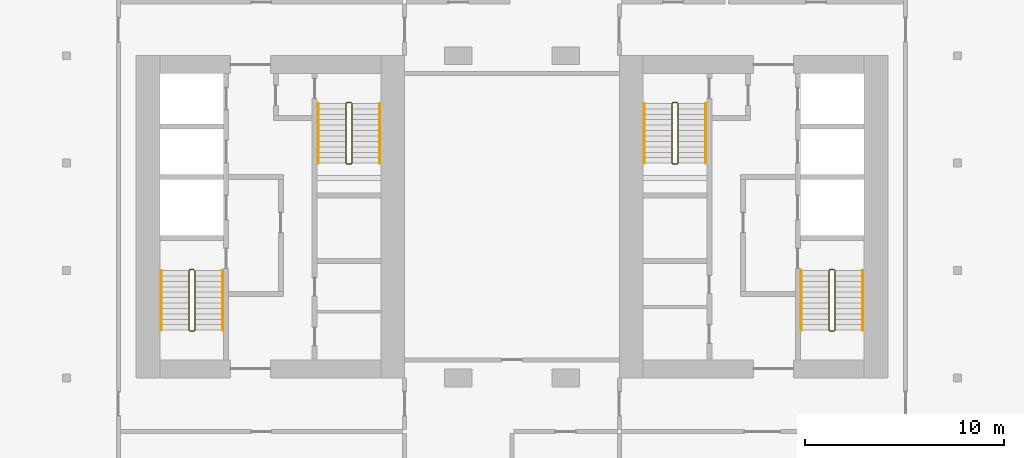
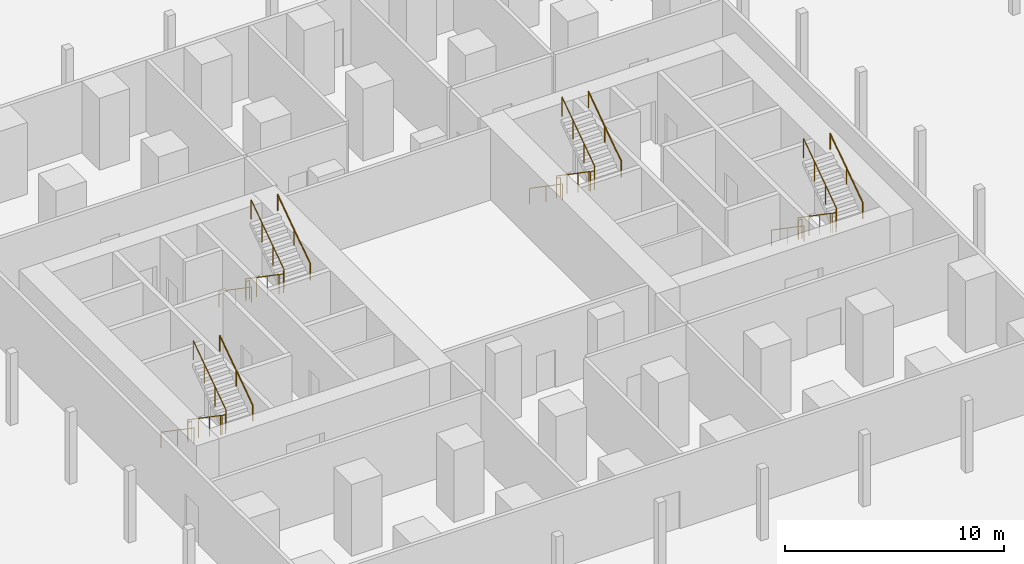
# One storey, part 6 of 6: 12 railings.
"""IFC4 building model written with IfcOpenShell, lengths in metres."""

from ifc_helpers import new_model, si_unit, direction, frame, origin, origin_2d, place, context, subcontext, project, spatial, circle, extrude, material, type_object, element, save


model = new_model("IFC4")

# Units and contexts
model_context = context("Model", 3, precision=1e-05, world=origin(), true_north=direction((0.0, 1.0)))
body_context = subcontext(model_context, "Body", "Model", "MODEL_VIEW")
ifc_project = project(units=[si_unit("LENGTHUNIT", "METRE"), si_unit("AREAUNIT", "SQUARE_METRE"), si_unit("VOLUMEUNIT", "CUBIC_METRE"), si_unit("PLANEANGLEUNIT", "RADIAN"), si_unit("MASSUNIT", "GRAM", prefix="KILO")], contexts=[model_context])

# Site, building, storey
site_placement = place(None, origin())
site = spatial("IfcSite", under=ifc_project, at=site_placement, CompositionType="ELEMENT")
building_placement = place(site_placement, origin())
building = spatial("IfcBuilding", under=site, at=building_placement, Name="Tabaq Tower and Sports Hall", CompositionType="ELEMENT")
storey_placement = place(building_placement, frame((0.0, 0.0, -4.5)))
storey = spatial("IfcBuildingStorey", under=building, at=storey_placement, Name="B01", CompositionType="ELEMENT", Elevation=-4.5)

# Railings
ifc_material_1 = material(Name="Stainless steel", Category="steel")
railing_type_1 = type_object("IfcRailingType", Name="Stair guard", PredefinedType="GUARDRAIL", material=ifc_material_1)
railing_1_placement = place(storey_placement, frame((8.300048828125, 21.64990234375, 0.0)))
element("IfcRailing", 1, at=railing_1_placement, inside=storey, type_object=railing_type_1, Name="B01 ST1 stair guard 1", PredefinedType="GUARDRAIL", context=body_context, shape_type="SweptSolid", body=[
    extrude(circle(Radius=0.02392578125, at=origin_2d()), frame((0.0, 0.0, 1.076171875), z_axis=(-1.0, 0.0, 0.0), x_axis=(0.0, -1.0, 0.0)), (0.0, 0.0, 1.0), 0.199951171875),
    extrude(circle(Radius=0.02392578125, at=origin_2d()), frame((-0.199951171875, 0.0, 1.076171875), z_axis=(-0.249802250048, -0.248583702486, 0.935844527007), x_axis=(0.705375805398, -0.708833529934, 0.0)), (0.0, 0.0, 1.0), 0.200439453125),
    extrude(circle(Radius=0.02392578125, at=origin_2d()), frame((-0.25, -0.0498046875, 1.263671875), z_axis=(0.0, -0.824041924199, 0.566528822887), x_axis=(1.0, 0.0, 0.0)), (0.0, 0.0, 1.0), 3.640625),
    extrude(circle(Radius=0.02392578125, at=origin_2d()), frame((-0.25, -3.0498046875, 3.326171875), z_axis=(0.707106781187, -0.707106781187, 0.0), x_axis=(0.707106781187, 0.707106781187, 0.0)), (0.0, 0.0, 1.0), 0.07080078125),
    extrude(circle(Radius=0.02392578125, at=origin_2d()), frame((-0.199951171875, -3.099853515625, 3.326171875), z_axis=(1.0, 0.0, 0.0), x_axis=(0.0, 1.0, 0.0)), (0.0, 0.0, 1.0), 0.199951171875),
    extrude(circle(Radius=0.02392578125, at=origin_2d()), frame((0.0, -3.099853515625, 3.326171875), z_axis=(0.249726431254, 0.249726431254, 0.935560483917), x_axis=(-0.707106781187, 0.707106781187, 0.0)), (0.0, 0.0, 1.0), 0.200439453125),
    extrude(circle(Radius=0.02392578125, at=origin_2d()), frame((0.050048828125, -3.0498046875, 3.513671875), z_axis=(0.0, 0.824041924199, 0.566528822887), x_axis=(-1.0, 0.0, 0.0)), (0.0, 0.0, 1.0), 3.640625),
    extrude(circle(Radius=0.02099609375, at=origin_2d()), origin(), (0.0, 0.0, 1.0), 1.052001953125),
    extrude(circle(Radius=0.02099609375, at=origin_2d()), frame((-0.199951171875, 0.0, 0.0)), (0.0, 0.0, 1.0), 1.052001953125),
    extrude(circle(Radius=0.02099609375, at=origin_2d()), frame((-0.25, -0.0498046875, 0.1875)), (0.0, 0.0, 1.0), 1.052001953125),
    extrude(circle(Radius=0.02099609375, at=origin_2d()), frame((-0.25, -1.0498046875, 0.875)), (0.0, 0.0, 1.0), 1.052001953125),
    extrude(circle(Radius=0.02099609375, at=origin_2d()), frame((-0.25, -2.0498046875, 1.5625)), (0.0, 0.0, 1.0), 1.052001953125),
    extrude(circle(Radius=0.02099609375, at=origin_2d()), frame((-0.25, -3.0498046875, 2.25)), (0.0, 0.0, 1.0), 1.052001953125),
    extrude(circle(Radius=0.02099609375, at=origin_2d()), frame((-0.199951171875, -3.099853515625, 2.25)), (0.0, 0.0, 1.0), 1.052001953125),
    extrude(circle(Radius=0.02099609375, at=origin_2d()), frame((0.0, -3.099853515625, 2.25)), (0.0, 0.0, 1.0), 1.052001953125),
    extrude(circle(Radius=0.02099609375, at=origin_2d()), frame((0.050048828125, -3.0498046875, 2.4375)), (0.0, 0.0, 1.0), 1.052001953125),
    extrude(circle(Radius=0.02099609375, at=origin_2d()), frame((0.050048828125, -2.0498046875, 3.125)), (0.0, 0.0, 1.0), 1.052001953125),
    extrude(circle(Radius=0.02099609375, at=origin_2d()), frame((0.050048828125, -1.0498046875, 3.8125)), (0.0, 0.0, 1.0), 1.052001953125),
    extrude(circle(Radius=0.02099609375, at=origin_2d()), frame((0.050048828125, -0.0498046875, 4.5)), (0.0, 0.0, 1.0), 1.052001953125),
])
railing_2_placement = place(storey_placement, frame((16.199951171875, 30.050048828125, 0.0)))
element("IfcRailing", 2, at=railing_2_placement, inside=storey, type_object=railing_type_1, Name="B01 ST2 stair guard 1", PredefinedType="GUARDRAIL", context=body_context, shape_type="SweptSolid", body=[
    extrude(circle(Radius=0.02392578125, at=origin_2d()), frame((0.0, 0.0, 1.076171875), z_axis=(-1.0, 0.0, 0.0), x_axis=(0.0, -1.0, 0.0)), (0.0, 0.0, 1.0), 0.199951171875),
    extrude(circle(Radius=0.02392578125, at=origin_2d()), frame((-0.199951171875, 0.0, 1.076171875), z_axis=(-0.249726431254, -0.249726431254, 0.935560483917), x_axis=(0.707106781187, -0.707106781187, 0.0)), (0.0, 0.0, 1.0), 0.200439453125),
    extrude(circle(Radius=0.02392578125, at=origin_2d()), frame((-0.25, -0.050048828125, 1.263671875), z_axis=(0.0, -0.824041924199, 0.566528822887), x_axis=(1.0, 0.0, 0.0)), (0.0, 0.0, 1.0), 3.640625),
    extrude(circle(Radius=0.02392578125, at=origin_2d()), frame((-0.25, -3.050048828125, 3.326171875), z_axis=(0.707106781187, -0.707106781187, 0.0), x_axis=(0.707106781187, 0.707106781187, 0.0)), (0.0, 0.0, 1.0), 0.07080078125),
    extrude(circle(Radius=0.02392578125, at=origin_2d()), frame((-0.199951171875, -3.10009765625, 3.326171875), z_axis=(1.0, 0.0, 0.0), x_axis=(0.0, 1.0, 0.0)), (0.0, 0.0, 1.0), 0.199951171875),
    extrude(circle(Radius=0.02392578125, at=origin_2d()), frame((0.0, -3.10009765625, 3.326171875), z_axis=(0.249726431254, 0.249726431254, 0.935560483917), x_axis=(-0.707106781187, 0.707106781187, 0.0)), (0.0, 0.0, 1.0), 0.200439453125),
    extrude(circle(Radius=0.02392578125, at=origin_2d()), frame((0.050048828125, -3.050048828125, 3.513671875), z_axis=(0.0, 0.824041924199, 0.566528822887), x_axis=(-1.0, 0.0, 0.0)), (0.0, 0.0, 1.0), 3.640625),
    extrude(circle(Radius=0.02099609375, at=origin_2d()), origin(), (0.0, 0.0, 1.0), 1.052001953125),
    extrude(circle(Radius=0.02099609375, at=origin_2d()), frame((-0.199951171875, 0.0, 0.0)), (0.0, 0.0, 1.0), 1.052001953125),
    extrude(circle(Radius=0.02099609375, at=origin_2d()), frame((-0.25, -0.050048828125, 0.1875)), (0.0, 0.0, 1.0), 1.052001953125),
    extrude(circle(Radius=0.02099609375, at=origin_2d()), frame((-0.25, -1.050048828125, 0.875)), (0.0, 0.0, 1.0), 1.052001953125),
    extrude(circle(Radius=0.02099609375, at=origin_2d()), frame((-0.25, -2.050048828125, 1.5625)), (0.0, 0.0, 1.0), 1.052001953125),
    extrude(circle(Radius=0.02099609375, at=origin_2d()), frame((-0.25, -3.050048828125, 2.25)), (0.0, 0.0, 1.0), 1.052001953125),
    extrude(circle(Radius=0.02099609375, at=origin_2d()), frame((-0.199951171875, -3.10009765625, 2.25)), (0.0, 0.0, 1.0), 1.052001953125),
    extrude(circle(Radius=0.02099609375, at=origin_2d()), frame((0.0, -3.10009765625, 2.25)), (0.0, 0.0, 1.0), 1.052001953125),
    extrude(circle(Radius=0.02099609375, at=origin_2d()), frame((0.050048828125, -3.050048828125, 2.4375)), (0.0, 0.0, 1.0), 1.052001953125),
    extrude(circle(Radius=0.02099609375, at=origin_2d()), frame((0.050048828125, -2.050048828125, 3.125)), (0.0, 0.0, 1.0), 1.052001953125),
    extrude(circle(Radius=0.02099609375, at=origin_2d()), frame((0.050048828125, -1.050048828125, 3.8125)), (0.0, 0.0, 1.0), 1.052001953125),
    extrude(circle(Radius=0.02099609375, at=origin_2d()), frame((0.050048828125, -0.050048828125, 4.5)), (0.0, 0.0, 1.0), 1.052001953125),
])
railing_3_placement = place(storey_placement, frame((40.5, 21.64990234375, 0.0)))
element("IfcRailing", 3, at=railing_3_placement, inside=storey, type_object=railing_type_1, Name="B01 ST3 stair guard 1", PredefinedType="GUARDRAIL", context=body_context, shape_type="SweptSolid", body=[
    extrude(circle(Radius=0.02392578125, at=origin_2d()), frame((0.0, 0.0, 1.076171875), z_axis=(-1.0, 0.0, 0.0), x_axis=(0.0, -1.0, 0.0)), (0.0, 0.0, 1.0), 0.199951171875),
    extrude(circle(Radius=0.02392578125, at=origin_2d()), frame((-0.199951171875, 0.0, 1.076171875), z_axis=(-0.249802250048, -0.248583702486, 0.935844527007), x_axis=(0.705375805398, -0.708833529934, 0.0)), (0.0, 0.0, 1.0), 0.200439453125),
    extrude(circle(Radius=0.02392578125, at=origin_2d()), frame((-0.25, -0.0498046875, 1.263671875), z_axis=(0.0, -0.824041924199, 0.566528822887), x_axis=(1.0, 0.0, 0.0)), (0.0, 0.0, 1.0), 3.640625),
    extrude(circle(Radius=0.02392578125, at=origin_2d()), frame((-0.25, -3.0498046875, 3.326171875), z_axis=(0.707106781187, -0.707106781187, 0.0), x_axis=(0.707106781187, 0.707106781187, 0.0)), (0.0, 0.0, 1.0), 0.07080078125),
    extrude(circle(Radius=0.02392578125, at=origin_2d()), frame((-0.199951171875, -3.099853515625, 3.326171875), z_axis=(1.0, 0.0, 0.0), x_axis=(0.0, 1.0, 0.0)), (0.0, 0.0, 1.0), 0.199951171875),
    extrude(circle(Radius=0.02392578125, at=origin_2d()), frame((0.0, -3.099853515625, 3.326171875), z_axis=(0.249726431254, 0.249726431254, 0.935560483917), x_axis=(-0.707106781187, 0.707106781187, 0.0)), (0.0, 0.0, 1.0), 0.200439453125),
    extrude(circle(Radius=0.02392578125, at=origin_2d()), frame((0.050048828125, -3.0498046875, 3.513671875), z_axis=(0.0, 0.824041924199, 0.566528822887), x_axis=(-1.0, 0.0, 0.0)), (0.0, 0.0, 1.0), 3.640625),
    extrude(circle(Radius=0.02099609375, at=origin_2d()), origin(), (0.0, 0.0, 1.0), 1.052001953125),
    extrude(circle(Radius=0.02099609375, at=origin_2d()), frame((-0.199951171875, 0.0, 0.0)), (0.0, 0.0, 1.0), 1.052001953125),
    extrude(circle(Radius=0.02099609375, at=origin_2d()), frame((-0.25, -0.0498046875, 0.1875)), (0.0, 0.0, 1.0), 1.052001953125),
    extrude(circle(Radius=0.02099609375, at=origin_2d()), frame((-0.25, -1.0498046875, 0.875)), (0.0, 0.0, 1.0), 1.052001953125),
    extrude(circle(Radius=0.02099609375, at=origin_2d()), frame((-0.25, -2.0498046875, 1.5625)), (0.0, 0.0, 1.0), 1.052001953125),
    extrude(circle(Radius=0.02099609375, at=origin_2d()), frame((-0.25, -3.0498046875, 2.25)), (0.0, 0.0, 1.0), 1.052001953125),
    extrude(circle(Radius=0.02099609375, at=origin_2d()), frame((-0.199951171875, -3.099853515625, 2.25)), (0.0, 0.0, 1.0), 1.052001953125),
    extrude(circle(Radius=0.02099609375, at=origin_2d()), frame((0.0, -3.099853515625, 2.25)), (0.0, 0.0, 1.0), 1.052001953125),
    extrude(circle(Radius=0.02099609375, at=origin_2d()), frame((0.050048828125, -3.0498046875, 2.4375)), (0.0, 0.0, 1.0), 1.052001953125),
    extrude(circle(Radius=0.02099609375, at=origin_2d()), frame((0.050048828125, -2.0498046875, 3.125)), (0.0, 0.0, 1.0), 1.052001953125),
    extrude(circle(Radius=0.02099609375, at=origin_2d()), frame((0.050048828125, -1.0498046875, 3.8125)), (0.0, 0.0, 1.0), 1.052001953125),
    extrude(circle(Radius=0.02099609375, at=origin_2d()), frame((0.050048828125, -0.0498046875, 4.5)), (0.0, 0.0, 1.0), 1.052001953125),
])
railing_4_placement = place(storey_placement, frame((32.60009765625, 30.050048828125, 0.0)))
element("IfcRailing", 4, at=railing_4_placement, inside=storey, type_object=railing_type_1, Name="B01 ST4 stair guard 1", PredefinedType="GUARDRAIL", context=body_context, shape_type="SweptSolid", body=[
    extrude(circle(Radius=0.02392578125, at=origin_2d()), frame((0.0, 0.0, 1.076171875), z_axis=(-1.0, 0.0, 0.0), x_axis=(0.0, -1.0, 0.0)), (0.0, 0.0, 1.0), 0.2001953125),
    extrude(circle(Radius=0.02392578125, at=origin_2d()), frame((-0.2001953125, 0.0, 1.076171875), z_axis=(-0.248583702486, -0.249802250048, 0.935844527007), x_axis=(0.708833529934, -0.705375805398, 0.0)), (0.0, 0.0, 1.0), 0.200439453125),
    extrude(circle(Radius=0.02392578125, at=origin_2d()), frame((-0.25, -0.050048828125, 1.263671875), z_axis=(0.0, -0.824041924199, 0.566528822887), x_axis=(1.0, 0.0, 0.0)), (0.0, 0.0, 1.0), 3.640625),
    extrude(circle(Radius=0.02392578125, at=origin_2d()), frame((-0.25, -3.050048828125, 3.326171875), z_axis=(0.705375805398, -0.708833529934, 0.0), x_axis=(0.708833529934, 0.705375805398, 0.0)), (0.0, 0.0, 1.0), 0.070556640625),
    extrude(circle(Radius=0.02392578125, at=origin_2d()), frame((-0.2001953125, -3.10009765625, 3.326171875), z_axis=(1.0, 0.0, 0.0), x_axis=(0.0, 1.0, 0.0)), (0.0, 0.0, 1.0), 0.2001953125),
    extrude(circle(Radius=0.02392578125, at=origin_2d()), frame((0.0, -3.10009765625, 3.326171875), z_axis=(0.248583702486, 0.249802250048, 0.935844527007), x_axis=(-0.708833529934, 0.705375805398, 0.0)), (0.0, 0.0, 1.0), 0.200439453125),
    extrude(circle(Radius=0.02392578125, at=origin_2d()), frame((0.0498046875, -3.050048828125, 3.513671875), z_axis=(0.0, 0.824041924199, 0.566528822887), x_axis=(-1.0, 0.0, 0.0)), (0.0, 0.0, 1.0), 3.640625),
    extrude(circle(Radius=0.02099609375, at=origin_2d()), origin(), (0.0, 0.0, 1.0), 1.052001953125),
    extrude(circle(Radius=0.02099609375, at=origin_2d()), frame((-0.2001953125, 0.0, 0.0)), (0.0, 0.0, 1.0), 1.052001953125),
    extrude(circle(Radius=0.02099609375, at=origin_2d()), frame((-0.25, -0.050048828125, 0.1875)), (0.0, 0.0, 1.0), 1.052001953125),
    extrude(circle(Radius=0.02099609375, at=origin_2d()), frame((-0.25, -1.050048828125, 0.875)), (0.0, 0.0, 1.0), 1.052001953125),
    extrude(circle(Radius=0.02099609375, at=origin_2d()), frame((-0.25, -2.050048828125, 1.5625)), (0.0, 0.0, 1.0), 1.052001953125),
    extrude(circle(Radius=0.02099609375, at=origin_2d()), frame((-0.25, -3.050048828125, 2.25)), (0.0, 0.0, 1.0), 1.052001953125),
    extrude(circle(Radius=0.02099609375, at=origin_2d()), frame((-0.2001953125, -3.10009765625, 2.25)), (0.0, 0.0, 1.0), 1.052001953125),
    extrude(circle(Radius=0.02099609375, at=origin_2d()), frame((0.0, -3.10009765625, 2.25)), (0.0, 0.0, 1.0), 1.052001953125),
    extrude(circle(Radius=0.02099609375, at=origin_2d()), frame((0.0498046875, -3.050048828125, 2.4375)), (0.0, 0.0, 1.0), 1.052001953125),
    extrude(circle(Radius=0.02099609375, at=origin_2d()), frame((0.0498046875, -2.050048828125, 3.125)), (0.0, 0.0, 1.0), 1.052001953125),
    extrude(circle(Radius=0.02099609375, at=origin_2d()), frame((0.0498046875, -1.050048828125, 3.8125)), (0.0, 0.0, 1.0), 1.052001953125),
    extrude(circle(Radius=0.02099609375, at=origin_2d()), frame((0.0498046875, -0.050048828125, 4.5)), (0.0, 0.0, 1.0), 1.052001953125),
])
ifc_material_2 = material(Name="Stainless steel", Category="steel")
railing_type_2 = type_object("IfcRailingType", Name="Stair handrail", PredefinedType="HANDRAIL", material=ifc_material_2)
railing_5_placement = place(storey_placement, frame((6.64990234375, 21.60009765625, 0.1875)))
element("IfcRailing", 5, at=railing_5_placement, inside=storey, type_object=railing_type_2, Name="B01 ST1 stair handrail 1", PredefinedType="HANDRAIL", context=body_context, shape_type="SweptSolid", body=[
    extrude(circle(Radius=0.02392578125, at=origin_2d()), frame((0.0, 0.0, 0.8759765625), z_axis=(0.0, -0.824041924199, 0.566528822887), x_axis=(1.0, 0.0, 0.0)), (0.0, 0.0, 1.0), 3.640625),
    extrude(circle(Radius=0.02099609375, at=origin_2d()), origin(), (0.0, 0.0, 1.0), 0.851806640625),
    extrude(circle(Radius=0.02099609375, at=origin_2d()), frame((0.0, -1.5, 1.03125)), (0.0, 0.0, 1.0), 0.851806640625),
    extrude(circle(Radius=0.02099609375, at=origin_2d()), frame((0.0, -3.0, 2.0625)), (0.0, 0.0, 1.0), 0.851806640625),
])
railing_6_placement = place(storey_placement, frame((9.75, 18.60009765625, 2.4375)))
element("IfcRailing", 6, at=railing_6_placement, inside=storey, type_object=railing_type_2, Name="B01 ST1 stair handrail 2", PredefinedType="HANDRAIL", context=body_context, shape_type="SweptSolid", body=[
    extrude(circle(Radius=0.02392578125, at=origin_2d()), frame((0.0, 0.0, 0.8759765625), z_axis=(0.0, 0.824041924199, 0.566528822887), x_axis=(-1.0, 0.0, 0.0)), (0.0, 0.0, 1.0), 3.640625),
    extrude(circle(Radius=0.02099609375, at=origin_2d()), origin(), (0.0, 0.0, 1.0), 0.851806640625),
    extrude(circle(Radius=0.02099609375, at=origin_2d()), frame((0.0, 1.5, 1.03125)), (0.0, 0.0, 1.0), 0.851806640625),
    extrude(circle(Radius=0.02099609375, at=origin_2d()), frame((0.0, 3.0, 2.0625)), (0.0, 0.0, 1.0), 0.851806640625),
])
railing_7_placement = place(storey_placement, frame((14.550048828125, 30.0, 0.1875)))
element("IfcRailing", 7, at=railing_7_placement, inside=storey, type_object=railing_type_2, Name="B01 ST2 stair handrail 1", PredefinedType="HANDRAIL", context=body_context, shape_type="SweptSolid", body=[
    extrude(circle(Radius=0.02392578125, at=origin_2d()), frame((0.0, 0.0, 0.8759765625), z_axis=(0.0, -0.824041924199, 0.566528822887), x_axis=(1.0, 0.0, 0.0)), (0.0, 0.0, 1.0), 3.640625),
    extrude(circle(Radius=0.02099609375, at=origin_2d()), origin(), (0.0, 0.0, 1.0), 0.851806640625),
    extrude(circle(Radius=0.02099609375, at=origin_2d()), frame((0.0, -1.5, 1.03125)), (0.0, 0.0, 1.0), 0.851806640625),
    extrude(circle(Radius=0.02099609375, at=origin_2d()), frame((0.0, -3.0, 2.0625)), (0.0, 0.0, 1.0), 0.851806640625),
])
railing_8_placement = place(storey_placement, frame((17.64990234375, 27.0, 2.4375)))
element("IfcRailing", 8, at=railing_8_placement, inside=storey, type_object=railing_type_2, Name="B01 ST2 stair handrail 2", PredefinedType="HANDRAIL", context=body_context, shape_type="SweptSolid", body=[
    extrude(circle(Radius=0.02392578125, at=origin_2d()), frame((0.0, 0.0, 0.8759765625), z_axis=(0.0, 0.824041924199, 0.566528822887), x_axis=(-1.0, 0.0, 0.0)), (0.0, 0.0, 1.0), 3.640625),
    extrude(circle(Radius=0.02099609375, at=origin_2d()), origin(), (0.0, 0.0, 1.0), 0.851806640625),
    extrude(circle(Radius=0.02099609375, at=origin_2d()), frame((0.0, 1.5, 1.03125)), (0.0, 0.0, 1.0), 0.851806640625),
    extrude(circle(Radius=0.02099609375, at=origin_2d()), frame((0.0, 3.0, 2.0625)), (0.0, 0.0, 1.0), 0.851806640625),
])
railing_9_placement = place(storey_placement, frame((38.85009765625, 21.60009765625, 0.1875)))
element("IfcRailing", 9, at=railing_9_placement, inside=storey, type_object=railing_type_2, Name="B01 ST3 stair handrail 1", PredefinedType="HANDRAIL", context=body_context, shape_type="SweptSolid", body=[
    extrude(circle(Radius=0.02392578125, at=origin_2d()), frame((0.0, 0.0, 0.8759765625), z_axis=(0.0, -0.824041924199, 0.566528822887), x_axis=(1.0, 0.0, 0.0)), (0.0, 0.0, 1.0), 3.640625),
    extrude(circle(Radius=0.02099609375, at=origin_2d()), origin(), (0.0, 0.0, 1.0), 0.851806640625),
    extrude(circle(Radius=0.02099609375, at=origin_2d()), frame((0.0, -1.5, 1.03125)), (0.0, 0.0, 1.0), 0.851806640625),
    extrude(circle(Radius=0.02099609375, at=origin_2d()), frame((0.0, -3.0, 2.0625)), (0.0, 0.0, 1.0), 0.851806640625),
])
railing_10_placement = place(storey_placement, frame((41.949951171875, 18.60009765625, 2.4375)))
element("IfcRailing", 10, at=railing_10_placement, inside=storey, type_object=railing_type_2, Name="B01 ST3 stair handrail 2", PredefinedType="HANDRAIL", context=body_context, shape_type="SweptSolid", body=[
    extrude(circle(Radius=0.02392578125, at=origin_2d()), frame((0.0, 0.0, 0.8759765625), z_axis=(0.0, 0.824041924199, 0.566528822887), x_axis=(-1.0, 0.0, 0.0)), (0.0, 0.0, 1.0), 3.640625),
    extrude(circle(Radius=0.02099609375, at=origin_2d()), origin(), (0.0, 0.0, 1.0), 0.851806640625),
    extrude(circle(Radius=0.02099609375, at=origin_2d()), frame((0.0, 1.5, 1.03125)), (0.0, 0.0, 1.0), 0.851806640625),
    extrude(circle(Radius=0.02099609375, at=origin_2d()), frame((0.0, 3.0, 2.0625)), (0.0, 0.0, 1.0), 0.851806640625),
])
railing_11_placement = place(storey_placement, frame((30.949951171875, 30.0, 0.1875)))
element("IfcRailing", 11, at=railing_11_placement, inside=storey, type_object=railing_type_2, Name="B01 ST4 stair handrail 1", PredefinedType="HANDRAIL", context=body_context, shape_type="SweptSolid", body=[
    extrude(circle(Radius=0.02392578125, at=origin_2d()), frame((0.0, 0.0, 0.8759765625), z_axis=(0.0, -0.824041924199, 0.566528822887), x_axis=(1.0, 0.0, 0.0)), (0.0, 0.0, 1.0), 3.640625),
    extrude(circle(Radius=0.02099609375, at=origin_2d()), origin(), (0.0, 0.0, 1.0), 0.851806640625),
    extrude(circle(Radius=0.02099609375, at=origin_2d()), frame((0.0, -1.5, 1.03125)), (0.0, 0.0, 1.0), 0.851806640625),
    extrude(circle(Radius=0.02099609375, at=origin_2d()), frame((0.0, -3.0, 2.0625)), (0.0, 0.0, 1.0), 0.851806640625),
])
railing_12_placement = place(storey_placement, frame((34.050048828125, 27.0, 2.4375)))
element("IfcRailing", 12, at=railing_12_placement, inside=storey, type_object=railing_type_2, Name="B01 ST4 stair handrail 2", PredefinedType="HANDRAIL", context=body_context, shape_type="SweptSolid", body=[
    extrude(circle(Radius=0.02392578125, at=origin_2d()), frame((0.0, 0.0, 0.8759765625), z_axis=(0.0, 0.824041924199, 0.566528822887), x_axis=(-1.0, 0.0, 0.0)), (0.0, 0.0, 1.0), 3.640625),
    extrude(circle(Radius=0.02099609375, at=origin_2d()), origin(), (0.0, 0.0, 1.0), 0.851806640625),
    extrude(circle(Radius=0.02099609375, at=origin_2d()), frame((0.0, 1.5, 1.03125)), (0.0, 0.0, 1.0), 0.851806640625),
    extrude(circle(Radius=0.02099609375, at=origin_2d()), frame((0.0, 3.0, 2.0625)), (0.0, 0.0, 1.0), 0.851806640625),
])

save(model, "model.ifc")
